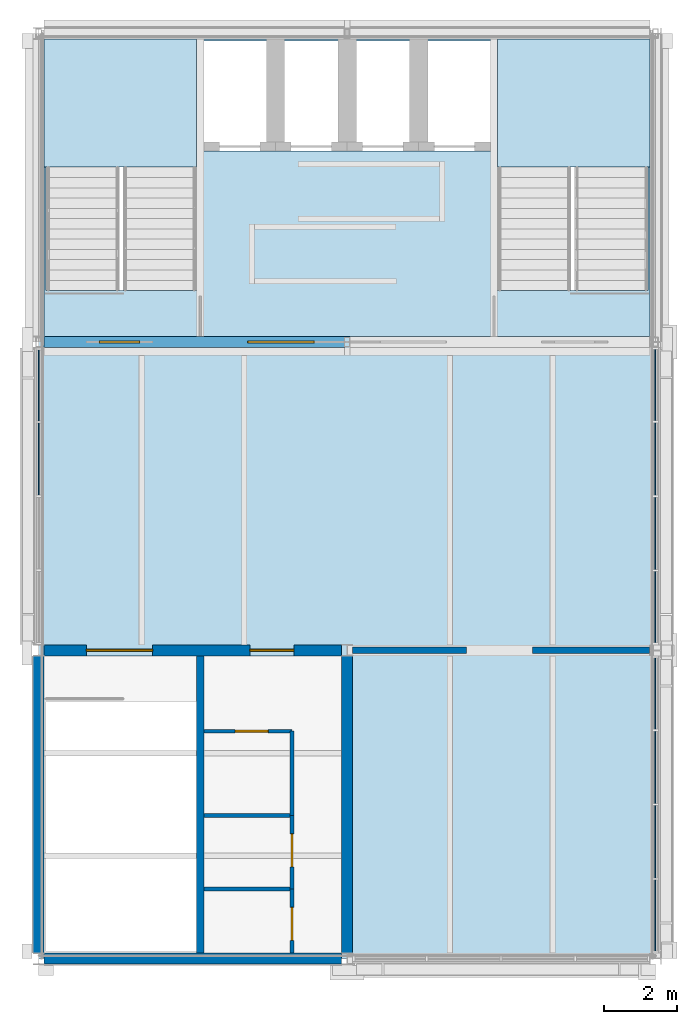
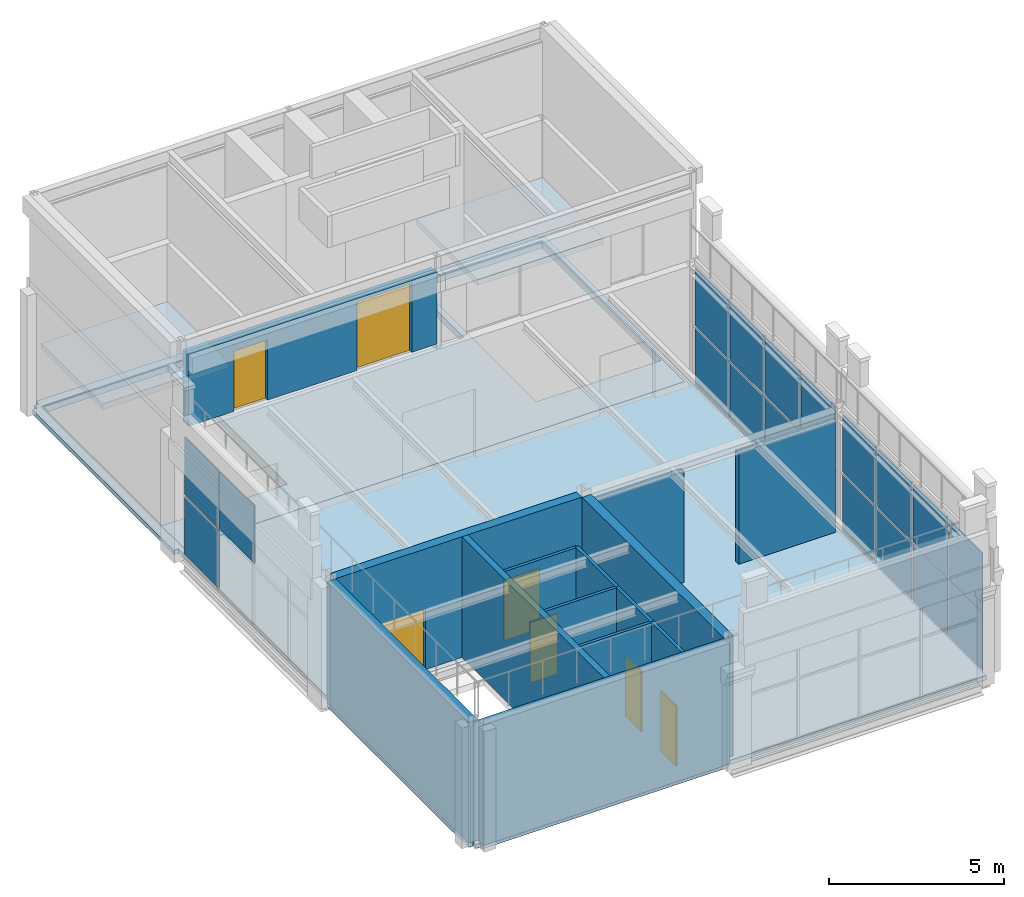
# One storey, part 3 of 7: 19 plates, 14 walls, 7 doors, 4 slabs, 7 openings, 5 elements without a shape of their own.
"""IFC4 building model written with IfcOpenShell, lengths in metres."""

from ifc_helpers import new_model, si_unit, direction, frame, frame_2d, origin, origin_2d, place, context, subcontext, project, spatial, polyline, rectangle, outline, extrude, material, layer, layer_set, type_object, element, fill, aggregate, save


model = new_model("IFC4")

# Units and contexts
model_context = context("Model", 3, precision=1e-05, world=origin(), true_north=direction((0.0, 1.0)))
body_context = subcontext(model_context, "Body", "Model", "MODEL_VIEW")
ifc_project = project(units=[si_unit("LENGTHUNIT", "METRE"), si_unit("AREAUNIT", "SQUARE_METRE"), si_unit("VOLUMEUNIT", "CUBIC_METRE"), si_unit("PLANEANGLEUNIT", "RADIAN"), si_unit("MASSUNIT", "GRAM", prefix="KILO")], contexts=[model_context])

# Site, building, storey
site_placement = place(None, origin())
site = spatial("IfcSite", under=ifc_project, at=site_placement, CompositionType="ELEMENT")
building_placement = place(site_placement, origin())
building = spatial("IfcBuilding", under=site, at=building_placement, Name="Galleria Vessillo Department Store", CompositionType="ELEMENT")
storey_placement = place(building_placement, frame((0.0, 0.0, 67.60009765625)))
storey = spatial("IfcBuildingStorey", under=building, at=storey_placement, Name="L15", CompositionType="ELEMENT", Elevation=67.60009765625)

# Slab
ifc_material_1 = material(Name="Concrete C32/40 composite on steel deck", Category="concrete")
ifc_layer_1 = layer(ifc_material_1, 0.14990234375)
ifc_layer_set_1 = layer_set([ifc_layer_1], Name="Concrete C32/40 composite on steel deck")
slab_type_1 = type_object("IfcSlabType", Name="Composite floor slab 150 mm", PredefinedType="FLOOR", material=ifc_layer_set_1)
slab_1_placement = place(storey_placement, frame((0.0, 0.0, -0.14990234375)))
element("IfcSlab", 1, at=slab_1_placement, inside=storey, type_object=slab_type_1, Name="S-SLAB-L15-FLOOR", PredefinedType="FLOOR", context=body_context, shape_type="SweptSolid", body=[
    extrude(outline(polyline([(100.650634765625, 46.039306640625), (100.800048828125, 46.039306640625), (100.800048828125, 54.7607421875), (100.650634765625, 54.7607421875), (100.650634765625, 62.83935546875), (100.800048828125, 62.83935546875), (100.800048828125, 63.0), (100.95068359375, 63.0), (100.95068359375, 63.1494140625), (117.439453125, 63.1494140625), (117.439453125, 63.0), (117.60009765625, 63.0), (117.60009765625, 37.800048828125), (109.04931640625, 37.800048828125), (109.04931640625, 37.699951171875), (100.95068359375, 37.699951171875), (100.95068359375, 37.800048828125), (100.800048828125, 37.800048828125), (100.800048828125, 37.960693359375), (100.650634765625, 37.960693359375), (100.650634765625, 46.039306640625)]), holes=[polyline([(109.050048828125, 37.949951171875), (109.050048828125, 46.050048828125), (100.949951171875, 46.050048828125), (100.949951171875, 37.949951171875), (109.050048828125, 37.949951171875)]), polyline([(117.4501953125, 54.75), (117.4501953125, 62.85009765625), (100.949951171875, 62.85009765625), (100.949951171875, 54.75), (117.4501953125, 54.75)])]), origin(), (0.0, 0.0, 1.0), 0.14990234375),
])

# Curtain wall, plates
ifc_material_2 = material(Name="Aluminium and glass curtain wall", Category="aluminium")
ifc_layer_2 = layer(ifc_material_2, 0.159912109375)
ifc_layer_set_2 = layer_set([ifc_layer_2], Name="Aluminium and glass curtain wall")
curtain_wall_type = type_object("IfcCurtainWallType", Name="Tower curtain wall CW4 2100 module", PredefinedType="NOTDEFINED", material=ifc_layer_set_2)
curtain_wall_1_placement = place(storey_placement, origin())
curtain_wall_1 = element("IfcCurtainWall", 2, at=curtain_wall_1_placement, inside=storey, type_object=curtain_wall_type, Name="Tower curtain wall CW4 2100 module TW-L15-01", PredefinedType="NOTDEFINED")
ifc_material_3 = material(Name="Glass laminated 44.2 low-e", Category="glass")
ifc_layer_3 = layer(ifc_material_3, 0.028076171875)
ifc_layer_set_3 = layer_set([ifc_layer_3], Name="Glass laminated 44.2 low-e")
plate_type_1 = type_object("IfcPlateType", Name="Laminated glass panel 28 mm", PredefinedType="CURTAIN_PANEL", material=ifc_layer_set_3)
plate_1_placement = place(storey_placement, frame((100.800048828125, 51.41015625, 2.1298828125), z_axis=(0.0, 0.0, 1.0), x_axis=(0.0, 1.0, 0.0)))
plate_1 = element("IfcPlate", 3, at=plate_1_placement, type_object=plate_type_1, Name="CW4 panel 3.2", PredefinedType="CURTAIN_PANEL", context=body_context, shape_type="SweptSolid", body=[
    extrude(rectangle(XDim=1.9599609375, YDim=0.028076171875, at=origin_2d()), origin(), (0.0, 0.0, 1.0), 2.010009765625),
])
plate_2_placement = place(storey_placement, frame((100.800048828125, 53.4150390625, 2.1298828125), z_axis=(0.0, 0.0, 1.0), x_axis=(0.0, 1.0, 0.0)))
plate_2 = element("IfcPlate", 4, at=plate_2_placement, type_object=plate_type_1, Name="CW4 panel 4.2", PredefinedType="CURTAIN_PANEL", context=body_context, shape_type="SweptSolid", body=[
    extrude(rectangle(XDim=1.93017578125, YDim=0.028076171875, at=origin_2d()), origin(), (0.0, 0.0, 1.0), 2.010009765625),
])

curtain_wall_2_placement = place(storey_placement, origin())
curtain_wall_2 = element("IfcCurtainWall", 5, at=curtain_wall_2_placement, inside=storey, type_object=curtain_wall_type, Name="Tower curtain wall CW4 2100 module TE-L15-01", PredefinedType="NOTDEFINED")
plate_3_placement = place(storey_placement, frame((117.60009765625, 38.9775390625, 2.1298828125), z_axis=(0.0, 0.0, 1.0), x_axis=(0.0, 1.0, 0.0)))
plate_3 = element("IfcPlate", 6, at=plate_3_placement, type_object=plate_type_1, Name="CW4 panel 1.2", PredefinedType="CURTAIN_PANEL", context=body_context, shape_type="SweptSolid", body=[
    extrude(rectangle(XDim=1.93505859375, YDim=0.028076171875, at=origin_2d()), origin(), (0.0, 0.0, 1.0), 2.010009765625),
])
plate_4_placement = place(storey_placement, frame((117.60009765625, 40.987548828125, 2.1298828125), z_axis=(0.0, 0.0, 1.0), x_axis=(0.0, 1.0, 0.0)))
plate_4 = element("IfcPlate", 7, at=plate_4_placement, type_object=plate_type_1, Name="CW4 panel 2.2", PredefinedType="CURTAIN_PANEL", context=body_context, shape_type="SweptSolid", body=[
    extrude(rectangle(XDim=1.965087890625, YDim=0.028076171875, at=origin_2d()), origin(), (0.0, 0.0, 1.0), 2.010009765625),
])
plate_5_placement = place(storey_placement, frame((117.60009765625, 43.012451171875, 2.1298828125), z_axis=(0.0, 0.0, 1.0), x_axis=(0.0, 1.0, 0.0)))
plate_5 = element("IfcPlate", 8, at=plate_5_placement, type_object=plate_type_1, Name="CW4 panel 3.2", PredefinedType="CURTAIN_PANEL", context=body_context, shape_type="SweptSolid", body=[
    extrude(rectangle(XDim=1.965087890625, YDim=0.028076171875, at=origin_2d()), origin(), (0.0, 0.0, 1.0), 2.010009765625),
])
plate_6_placement = place(storey_placement, frame((117.60009765625, 45.0224609375, 2.1298828125), z_axis=(0.0, 0.0, 1.0), x_axis=(0.0, 1.0, 0.0)))
plate_6 = element("IfcPlate", 9, at=plate_6_placement, type_object=plate_type_1, Name="CW4 panel 4.2", PredefinedType="CURTAIN_PANEL", context=body_context, shape_type="SweptSolid", body=[
    extrude(rectangle(XDim=1.93505859375, YDim=0.028076171875, at=origin_2d()), origin(), (0.0, 0.0, 1.0), 2.010009765625),
])

curtain_wall_3_placement = place(storey_placement, origin())
curtain_wall_3 = element("IfcCurtainWall", 10, at=curtain_wall_3_placement, inside=storey, type_object=curtain_wall_type, Name="Tower curtain wall CW4 2100 module TE-L15-02", PredefinedType="NOTDEFINED")
plate_7_placement = place(storey_placement, frame((117.60009765625, 47.37744140625, 2.1298828125), z_axis=(0.0, 0.0, 1.0), x_axis=(0.0, 1.0, 0.0)))
plate_7 = element("IfcPlate", 11, at=plate_7_placement, type_object=plate_type_1, Name="CW4 panel 1.2", PredefinedType="CURTAIN_PANEL", context=body_context, shape_type="SweptSolid", body=[
    extrude(rectangle(XDim=1.93505859375, YDim=0.028076171875, at=origin_2d()), origin(), (0.0, 0.0, 1.0), 2.010009765625),
])
plate_8_placement = place(storey_placement, frame((117.60009765625, 49.387451171875, 2.1298828125), z_axis=(0.0, 0.0, 1.0), x_axis=(0.0, 1.0, 0.0)))
plate_8 = element("IfcPlate", 12, at=plate_8_placement, type_object=plate_type_1, Name="CW4 panel 2.2", PredefinedType="CURTAIN_PANEL", context=body_context, shape_type="SweptSolid", body=[
    extrude(rectangle(XDim=1.965087890625, YDim=0.028076171875, at=origin_2d()), origin(), (0.0, 0.0, 1.0), 2.010009765625),
])
plate_9_placement = place(storey_placement, frame((117.60009765625, 51.41259765625, 2.1298828125), z_axis=(0.0, 0.0, 1.0), x_axis=(0.0, 1.0, 0.0)))
plate_9 = element("IfcPlate", 13, at=plate_9_placement, type_object=plate_type_1, Name="CW4 panel 3.2", PredefinedType="CURTAIN_PANEL", context=body_context, shape_type="SweptSolid", body=[
    extrude(rectangle(XDim=1.965087890625, YDim=0.028076171875, at=origin_2d()), origin(), (0.0, 0.0, 1.0), 2.010009765625),
])
plate_10_placement = place(storey_placement, frame((117.60009765625, 53.422607421875, 2.1298828125), z_axis=(0.0, 0.0, 1.0), x_axis=(0.0, 1.0, 0.0)))
plate_10 = element("IfcPlate", 14, at=plate_10_placement, type_object=plate_type_1, Name="CW4 panel 4.2", PredefinedType="CURTAIN_PANEL", context=body_context, shape_type="SweptSolid", body=[
    extrude(rectangle(XDim=1.93505859375, YDim=0.028076171875, at=origin_2d()), origin(), (0.0, 0.0, 1.0), 2.010009765625),
])

# Slab
ifc_material_4 = material(Name="Concrete C32/40 reinforced", Category="concrete")
ifc_layer_4 = layer(ifc_material_4, 0.219970703125)
ifc_layer_set_4 = layer_set([ifc_layer_4], Name="Concrete C32/40 reinforced")
slab_type_2 = type_object("IfcSlabType", Name="Reinforced concrete core floor slab 220 mm", PredefinedType="FLOOR", material=ifc_layer_set_4)
slab_2_placement = place(storey_placement, frame((0.0, 0.0, -0.219970703125)))
element("IfcSlab", 15, at=slab_2_placement, inside=storey, type_object=slab_type_2, Name="S-SLAB-L15-CORE-TC", PredefinedType="FLOOR", context=body_context, shape_type="SweptSolid", body=[
    extrude(outline(polyline([(100.949951171875, 54.75), (100.949951171875, 62.85009765625), (117.4501953125, 62.85009765625), (117.4501953125, 54.75), (100.949951171875, 54.75)]), holes=[polyline([(105.10009765625, 56.0), (105.10009765625, 62.800048828125), (101.0, 62.800048828125), (101.0, 56.0), (105.10009765625, 56.0)]), polyline([(113.300048828125, 56.0), (117.39990234375, 56.0), (117.39990234375, 62.800048828125), (113.300048828125, 62.800048828125), (113.300048828125, 56.0)]), polyline([(105.300048828125, 59.800048828125), (113.10009765625, 59.800048828125), (113.10009765625, 62.800048828125), (105.300048828125, 62.800048828125), (105.300048828125, 59.800048828125)])]), origin(), (0.0, 0.0, 1.0), 0.219970703125),
])

# Stair, slab
ifc_material_5 = material(Name="Concrete C32/40", Category="concrete")
stair_type = type_object("IfcStairType", Name="Half-turn escape stair 2000 mm, 26 risers of 169 mm", PredefinedType="HALF_TURN_STAIR", material=ifc_material_5)
stair_1_placement = place(storey_placement, origin())
stair_1 = element("IfcStair", 16, at=stair_1_placement, inside=storey, type_object=stair_type, Name="Stair ST8 L15", PredefinedType="HALF_TURN_STAIR")
ifc_material_6 = material(Name="Concrete C32/40", Category="concrete")
ifc_layer_5 = layer(ifc_material_6, 0.199951171875)
ifc_layer_set_5 = layer_set([ifc_layer_5], Name="Concrete C32/40")
slab_type_3 = type_object("IfcSlabType", Name="Stair half landing 4150 x 3490 mm", PredefinedType="LANDING", material=ifc_layer_set_5)
slab_3_placement = place(storey_placement, frame((0.0, 0.0, 2.0)))
slab_3 = element("IfcSlab", 17, at=slab_3_placement, type_object=slab_type_3, Name="ST8 landing 1", PredefinedType="LANDING", context=body_context, shape_type="SweptSolid", body=[
    extrude(outline(polyline([(100.949951171875, 59.360107421875), (100.949951171875, 62.85009765625), (105.10009765625, 62.85009765625), (105.10009765625, 59.360107421875), (100.949951171875, 59.360107421875)])), origin(), (0.0, 0.0, 1.0), 0.199951171875),
])
aggregate(stair_1, [slab_3])

stair_2_placement = place(storey_placement, origin())
stair_2 = element("IfcStair", 18, at=stair_2_placement, inside=storey, type_object=stair_type, Name="Stair ST9 L15", PredefinedType="HALF_TURN_STAIR")
slab_4_placement = place(storey_placement, frame((0.0, 0.0, 2.0)))
slab_4 = element("IfcSlab", 19, at=slab_4_placement, type_object=slab_type_3, Name="ST9 landing 1", PredefinedType="LANDING", context=body_context, shape_type="SweptSolid", body=[
    extrude(outline(polyline([(113.300048828125, 59.360107421875), (113.300048828125, 62.85009765625), (117.4501953125, 62.85009765625), (117.4501953125, 59.360107421875), (113.300048828125, 59.360107421875)])), origin(), (0.0, 0.0, 1.0), 0.199951171875),
])
aggregate(stair_2, [slab_4])

# Plate
ifc_material_7 = material(Name="Limestone spandrel on aluminium tray", Category="masonry")
ifc_layer_6 = layer(ifc_material_7, 0.028076171875)
ifc_layer_set_6 = layer_set([ifc_layer_6], Name="Limestone spandrel on aluminium tray")
plate_type_2 = type_object("IfcPlateType", Name="Stone spandrel panel 28 mm", PredefinedType="CURTAIN_PANEL", material=ifc_layer_set_6)
plate_11_placement = place(storey_placement, frame((100.800048828125, 53.4150390625, 0.06005859375), z_axis=(0.0, 0.0, 1.0), x_axis=(0.0, 1.0, 0.0)))
plate_11 = element("IfcPlate", 20, at=plate_11_placement, type_object=plate_type_2, Name="CW4 panel 4.1", PredefinedType="CURTAIN_PANEL", context=body_context, shape_type="SweptSolid", body=[
    extrude(rectangle(XDim=1.93017578125, YDim=0.028076171875, at=origin_2d()), origin(), (0.0, 0.0, 1.0), 2.010009765625),
])

aggregate(curtain_wall_1, [plate_1, plate_11, plate_2])

plate_12_placement = place(storey_placement, frame((117.60009765625, 38.9775390625, 0.06005859375), z_axis=(0.0, 0.0, 1.0), x_axis=(0.0, 1.0, 0.0)))
plate_12 = element("IfcPlate", 21, at=plate_12_placement, type_object=plate_type_2, Name="CW4 panel 1.1", PredefinedType="CURTAIN_PANEL", context=body_context, shape_type="SweptSolid", body=[
    extrude(rectangle(XDim=1.93505859375, YDim=0.028076171875, at=origin_2d()), origin(), (0.0, 0.0, 1.0), 2.010009765625),
])

plate_13_placement = place(storey_placement, frame((117.60009765625, 40.987548828125, 0.06005859375), z_axis=(0.0, 0.0, 1.0), x_axis=(0.0, 1.0, 0.0)))
plate_13 = element("IfcPlate", 22, at=plate_13_placement, type_object=plate_type_2, Name="CW4 panel 2.1", PredefinedType="CURTAIN_PANEL", context=body_context, shape_type="SweptSolid", body=[
    extrude(rectangle(XDim=1.965087890625, YDim=0.028076171875, at=origin_2d()), origin(), (0.0, 0.0, 1.0), 2.010009765625),
])

plate_14_placement = place(storey_placement, frame((117.60009765625, 43.012451171875, 0.06005859375), z_axis=(0.0, 0.0, 1.0), x_axis=(0.0, 1.0, 0.0)))
plate_14 = element("IfcPlate", 23, at=plate_14_placement, type_object=plate_type_2, Name="CW4 panel 3.1", PredefinedType="CURTAIN_PANEL", context=body_context, shape_type="SweptSolid", body=[
    extrude(rectangle(XDim=1.965087890625, YDim=0.028076171875, at=origin_2d()), origin(), (0.0, 0.0, 1.0), 2.010009765625),
])

plate_15_placement = place(storey_placement, frame((117.60009765625, 45.0224609375, 0.06005859375), z_axis=(0.0, 0.0, 1.0), x_axis=(0.0, 1.0, 0.0)))
plate_15 = element("IfcPlate", 24, at=plate_15_placement, type_object=plate_type_2, Name="CW4 panel 4.1", PredefinedType="CURTAIN_PANEL", context=body_context, shape_type="SweptSolid", body=[
    extrude(rectangle(XDim=1.93505859375, YDim=0.028076171875, at=origin_2d()), origin(), (0.0, 0.0, 1.0), 2.010009765625),
])

aggregate(curtain_wall_2, [plate_12, plate_3, plate_13, plate_4, plate_14, plate_5, plate_15, plate_6])

plate_16_placement = place(storey_placement, frame((117.60009765625, 47.37744140625, 0.06005859375), z_axis=(0.0, 0.0, 1.0), x_axis=(0.0, 1.0, 0.0)))
plate_16 = element("IfcPlate", 25, at=plate_16_placement, type_object=plate_type_2, Name="CW4 panel 1.1", PredefinedType="CURTAIN_PANEL", context=body_context, shape_type="SweptSolid", body=[
    extrude(rectangle(XDim=1.93505859375, YDim=0.028076171875, at=origin_2d()), origin(), (0.0, 0.0, 1.0), 2.010009765625),
])

plate_17_placement = place(storey_placement, frame((117.60009765625, 49.387451171875, 0.06005859375), z_axis=(0.0, 0.0, 1.0), x_axis=(0.0, 1.0, 0.0)))
plate_17 = element("IfcPlate", 26, at=plate_17_placement, type_object=plate_type_2, Name="CW4 panel 2.1", PredefinedType="CURTAIN_PANEL", context=body_context, shape_type="SweptSolid", body=[
    extrude(rectangle(XDim=1.965087890625, YDim=0.028076171875, at=origin_2d()), origin(), (0.0, 0.0, 1.0), 2.010009765625),
])

plate_18_placement = place(storey_placement, frame((117.60009765625, 51.41259765625, 0.06005859375), z_axis=(0.0, 0.0, 1.0), x_axis=(0.0, 1.0, 0.0)))
plate_18 = element("IfcPlate", 27, at=plate_18_placement, type_object=plate_type_2, Name="CW4 panel 3.1", PredefinedType="CURTAIN_PANEL", context=body_context, shape_type="SweptSolid", body=[
    extrude(rectangle(XDim=1.965087890625, YDim=0.028076171875, at=origin_2d()), origin(), (0.0, 0.0, 1.0), 2.010009765625),
])

plate_19_placement = place(storey_placement, frame((117.60009765625, 53.422607421875, 0.06005859375), z_axis=(0.0, 0.0, 1.0), x_axis=(0.0, 1.0, 0.0)))
plate_19 = element("IfcPlate", 28, at=plate_19_placement, type_object=plate_type_2, Name="CW4 panel 4.1", PredefinedType="CURTAIN_PANEL", context=body_context, shape_type="SweptSolid", body=[
    extrude(rectangle(XDim=1.93505859375, YDim=0.028076171875, at=origin_2d()), origin(), (0.0, 0.0, 1.0), 2.010009765625),
])

aggregate(curtain_wall_3, [plate_16, plate_7, plate_17, plate_8, plate_18, plate_9, plate_19, plate_10])

# Walls
ifc_material_8 = material(Name="Acoustic gypsum board partition")
ifc_layer_7 = layer(ifc_material_8, 0.175048828125)
ifc_layer_set_7 = layer_set([ifc_layer_7], Name="Acoustic gypsum board partition")
wall_type_1 = type_object("IfcWallType", Name="Acoustic conference partition 175 mm", PredefinedType="PARTITIONING", material=ifc_layer_set_7)
wall_1_placement = place(storey_placement, frame((109.349853515625, 46.199951171875, 0.0), z_axis=(0.0, 0.0, 1.0), x_axis=(1.0, 0.0, 0.0)))
element("IfcWall", 29, at=wall_1_placement, inside=storey, type_object=wall_type_1, Name="Partition wall PT6 on L15 no. 007", PredefinedType="PARTITIONING", context=body_context, shape_type="SweptSolid", body=[
    extrude(rectangle(XDim=3.10009765625, YDim=0.175048828125, at=frame_2d((1.550048828125, 0.0))), origin(), (0.0, 0.0, 1.0), 3.869873046875),
])
wall_2_placement = place(storey_placement, frame((114.25, 46.199951171875, 0.0), z_axis=(0.0, 0.0, 1.0), x_axis=(1.0, 0.0, 0.0)))
element("IfcWall", 30, at=wall_2_placement, inside=storey, type_object=wall_type_1, Name="Partition wall PT6 on L15 no. 008", PredefinedType="PARTITIONING", context=body_context, shape_type="SweptSolid", body=[
    extrude(rectangle(XDim=3.190185546875, YDim=0.175048828125, at=frame_2d((1.59521484375, 0.0))), origin(), (0.0, 0.0, 1.0), 3.869873046875),
])

# Wall, openings, doors
ifc_material_9 = material(Name="Reinforced masonry, limestone units 80 MPa", Category="masonry")
ifc_layer_8 = layer(ifc_material_9, 0.300048828125)
ifc_layer_set_8 = layer_set([ifc_layer_8], Name="Reinforced masonry, limestone units 80 MPa")
wall_type_2 = type_object("IfcWallType", Name="Load-bearing limestone pavilion wall 300 mm", PredefinedType="STANDARD", material=ifc_layer_set_8)
wall_3_placement = place(storey_placement, frame((100.949951171875, 54.60009765625, 4.39990234375), z_axis=(0.0, 0.0, 1.0), x_axis=(1.0, 0.0, 0.0)))
wall_3 = element("IfcWall", 31, at=wall_3_placement, inside=storey, type_object=wall_type_2, Name="Load-bearing limestone pavilion wall 300 mm E-HH south-1", PredefinedType="STANDARD", context=body_context, shape_type="SweptSolid", body=[
    extrude(rectangle(XDim=8.17529296875, YDim=0.300048828125, at=frame_2d((4.087646484375, 0.0))), origin(), (0.0, 0.0, 1.0), 2.5),
])
opening_1_placement = place(wall_3_placement, frame((1.5, 0.0, 0.0)))
opening_1 = element("IfcOpeningElement", 32, at=opening_1_placement, cuts=wall_3, Name="Opening HH-D1", PredefinedType="OPENING", context=body_context, shape_type="SweptSolid", body=[
    extrude(rectangle(XDim=1.10009765625, YDim=2.10009765625, at=frame_2d((0.550048828125, 1.050048828125))), frame((0.0, 0.16015625, 0.0), z_axis=(0.0, -1.0, 0.0), x_axis=(1.0, 0.0, 0.0)), (0.0, 0.0, 1.0), 0.320068359375),
])
opening_2_placement = place(wall_3_placement, frame((5.550048828125, 0.0, 0.0)))
opening_2 = element("IfcOpeningElement", 33, at=opening_2_placement, cuts=wall_3, Name="Opening DT15-S107", PredefinedType="OPENING", context=body_context, shape_type="SweptSolid", body=[
    extrude(rectangle(XDim=1.800048828125, YDim=2.39990234375, at=frame_2d((0.89990234375, 1.199951171875))), frame((0.0, 0.16015625, 0.0), z_axis=(0.0, -1.0, 0.0), x_axis=(1.0, 0.0, 0.0)), (0.0, 0.0, 1.0), 0.320068359375),
])
ifc_material_10 = material(Name="Aluminium frame with laminated glass 44.2", Category="aluminium")
door_type_1 = type_object("IfcDoorType", Name="Glazed double terrace door 1800 x 2400", OperationType="DOUBLE_DOOR_SINGLE_SWING", PredefinedType="DOOR", material=ifc_material_10)
door_1_placement = place(opening_2_placement, frame((1.800048828125, 0.0, 0.0), z_axis=(0.0, 0.0, 1.0), x_axis=(-1.0, 0.0, 0.0)))
door_1 = element("IfcDoor", 34, at=door_1_placement, inside=storey, type_object=door_type_1, Name="Glazed double terrace door 1800 x 2400 DT15-S107", OperationType="DOUBLE_DOOR_SINGLE_SWING", OverallHeight=2.39990234375, OverallWidth=1.800048828125, PredefinedType="DOOR", context=body_context, shape_type="SweptSolid", body=[
    extrude(rectangle(XDim=1.800048828125, YDim=2.39990234375, at=frame_2d((0.89990234375, 1.199951171875))), frame((0.0, 0.02490234375, 0.0), z_axis=(0.0, -1.0, 0.0), x_axis=(1.0, 0.0, 0.0)), (0.0, 0.0, 1.0), 0.050048828125),
])
fill(opening_2, door_1)
ifc_material_11 = material(Name="Galvanised steel sectional leaf", Category="steel")
door_type_2 = type_object("IfcDoorType", Name="Single leaf pavilion door 1100 x 2100", OperationType="SINGLE_SWING_LEFT", PredefinedType="DOOR", material=ifc_material_11)
door_2_placement = place(opening_1_placement, origin())
door_2 = element("IfcDoor", 35, at=door_2_placement, inside=storey, type_object=door_type_2, Name="Single leaf pavilion door 1100 x 2100 HH-D1", OperationType="SINGLE_SWING_LEFT", OverallHeight=2.10009765625, OverallWidth=1.10009765625, PredefinedType="DOOR", context=body_context, shape_type="SweptSolid", body=[
    extrude(rectangle(XDim=1.10009765625, YDim=2.10009765625, at=frame_2d((0.550048828125, 1.050048828125))), frame((0.0, 0.02490234375, 0.0), z_axis=(0.0, -1.0, 0.0), x_axis=(1.0, 0.0, 0.0)), (0.0, 0.0, 1.0), 0.050048828125),
])
fill(opening_1, door_2)

ifc_material_12 = material(Name="Concrete C32/40 reinforced", Category="concrete")
ifc_layer_9 = layer(ifc_material_12, 0.300048828125)
ifc_layer_set_9 = layer_set([ifc_layer_9], Name="Concrete C32/40 reinforced")
wall_type_3 = type_object("IfcWallType", Name="Reinforced concrete core wall 300 mm", PredefinedType="SHEAR", material=ifc_layer_set_9)
wall_4_placement = place(storey_placement, frame((100.949951171875, 46.199951171875, 0.0), z_axis=(0.0, 0.0, 1.0), x_axis=(1.0, 0.0, 0.0)))
wall_4 = element("IfcWall", 36, at=wall_4_placement, inside=storey, type_object=wall_type_3, Name="S-CW-TS-INTERIOR-L15", PredefinedType="SHEAR", context=body_context, shape_type="SweptSolid", body=[
    extrude(rectangle(XDim=8.10009765625, YDim=0.300048828125, at=frame_2d((4.050048828125, 0.0))), origin(), (0.0, 0.0, 1.0), 4.199951171875),
])
opening_3_placement = place(wall_4_placement, frame((1.14990234375, 0.0, 0.0)))
opening_3 = element("IfcOpeningElement", 37, at=opening_3_placement, cuts=wall_4, Name="Opening D5339", PredefinedType="OPENING", context=body_context, shape_type="SweptSolid", body=[
    extrude(rectangle(XDim=1.800048828125, YDim=2.10009765625, at=frame_2d((0.89990234375, 1.050048828125))), frame((0.0, 0.16015625, 0.0), z_axis=(0.0, -1.0, 0.0), x_axis=(1.0, 0.0, 0.0)), (0.0, 0.0, 1.0), 0.320068359375),
])
opening_4_placement = place(wall_4_placement, frame((5.599853515625, 0.0, 0.0)))
opening_4 = element("IfcOpeningElement", 38, at=opening_4_placement, cuts=wall_4, Name="Opening D5340", PredefinedType="OPENING", context=body_context, shape_type="SweptSolid", body=[
    extrude(rectangle(XDim=1.199951171875, YDim=2.10009765625, at=frame_2d((0.60009765625, 1.050048828125))), frame((0.0, 0.16015625, 0.0), z_axis=(0.0, -1.0, 0.0), x_axis=(1.0, 0.0, 0.0)), (0.0, 0.0, 1.0), 0.320068359375),
])
ifc_material_13 = material(Name="Fire-rated steel door leaf", Category="steel")
door_type_3 = type_object("IfcDoorType", Name="Door D120F fire door 1200 x 2100", OperationType="SINGLE_SWING_LEFT", PredefinedType="DOOR", material=ifc_material_13)
door_3_placement = place(opening_4_placement, frame((1.199951171875, 0.0, 0.0), z_axis=(0.0, 0.0, 1.0), x_axis=(-1.0, 0.0, 0.0)))
door_3 = element("IfcDoor", 39, at=door_3_placement, inside=storey, type_object=door_type_3, Name="Lobby door TS-WC-FLOOR L15", OperationType="SINGLE_SWING_LEFT", OverallHeight=2.10009765625, OverallWidth=1.199951171875, PredefinedType="DOOR", context=body_context, shape_type="SweptSolid", body=[
    extrude(rectangle(XDim=1.199951171875, YDim=2.10009765625, at=frame_2d((0.60009765625, 1.050048828125))), frame((0.0, 0.02490234375, 0.0), z_axis=(0.0, -1.0, 0.0), x_axis=(1.0, 0.0, 0.0)), (0.0, 0.0, 1.0), 0.050048828125),
])
fill(opening_4, door_3)
ifc_material_14 = material(Name="Fire-rated steel door leaf", Category="steel")
door_type_4 = type_object("IfcDoorType", Name="Door D180F double leaf 1800 x 2100", OperationType="DOUBLE_DOOR_SINGLE_SWING", PredefinedType="DOOR", material=ifc_material_14)
door_4_placement = place(opening_3_placement, frame((1.800048828125, 0.0, 0.0), z_axis=(0.0, 0.0, 1.0), x_axis=(-1.0, 0.0, 0.0)))
door_4 = element("IfcDoor", 40, at=door_4_placement, inside=storey, type_object=door_type_4, Name="Lobby door TS-ST12-FLOOR L15", OperationType="DOUBLE_DOOR_SINGLE_SWING", OverallHeight=2.10009765625, OverallWidth=1.800048828125, PredefinedType="DOOR", context=body_context, shape_type="SweptSolid", body=[
    extrude(rectangle(XDim=1.800048828125, YDim=2.10009765625, at=frame_2d((0.89990234375, 1.050048828125))), frame((0.0, 0.02490234375, 0.0), z_axis=(0.0, -1.0, 0.0), x_axis=(1.0, 0.0, 0.0)), (0.0, 0.0, 1.0), 0.050048828125),
])
fill(opening_3, door_4)

# Walls
wall_5_placement = place(storey_placement, frame((109.199951171875, 37.9599609375, 0.0), z_axis=(0.0, 0.0, 1.0), x_axis=(0.0, 1.0, 0.0)))
element("IfcWall", 41, at=wall_5_placement, inside=storey, type_object=wall_type_3, Name="S-CW-TS-EAST-L15", PredefinedType="SHEAR", context=body_context, shape_type="SweptSolid", body=[
    extrude(rectangle(XDim=8.080078125, YDim=0.300048828125, at=frame_2d((4.0400390625, 0.0))), origin(), (0.0, 0.0, 1.0), 4.199951171875),
])
ifc_material_15 = material(Name="Concrete C32/40 reinforced", Category="concrete")
ifc_layer_10 = layer(ifc_material_15, 0.300048828125)
ifc_layer_set_10 = layer_set([ifc_layer_10], Name="Concrete C32/40 reinforced")
wall_type_4 = type_object("IfcWallType", Name="Reinforced concrete core wall 300 mm, external", PredefinedType="SHEAR", material=ifc_layer_set_10)
wall_6_placement = place(storey_placement, frame((100.949951171875, 37.800048828125, 0.0), z_axis=(0.0, 0.0, 1.0), x_axis=(1.0, 0.0, 0.0)))
element("IfcWall", 42, at=wall_6_placement, inside=storey, type_object=wall_type_4, Name="S-CW-TS-PARTY-L15", PredefinedType="SHEAR", context=body_context, shape_type="SweptSolid", body=[
    extrude(rectangle(XDim=8.10009765625, YDim=0.300048828125, at=frame_2d((4.050048828125, 0.0))), origin(), (0.0, 0.0, 1.0), 4.199951171875),
])
wall_7_placement = place(storey_placement, frame((100.800048828125, 37.9599609375, 0.0), z_axis=(0.0, 0.0, 1.0), x_axis=(0.0, 1.0, 0.0)))
element("IfcWall", 43, at=wall_7_placement, inside=storey, type_object=wall_type_4, Name="S-CW-TS-WEST-L15", PredefinedType="SHEAR", context=body_context, shape_type="SweptSolid", body=[
    extrude(rectangle(XDim=8.080078125, YDim=0.300048828125, at=frame_2d((4.0400390625, 0.0))), origin(), (0.0, 0.0, 1.0), 4.199951171875),
])
ifc_material_16 = material(Name="Concrete C32/40 reinforced", Category="concrete")
ifc_layer_11 = layer(ifc_material_16, 0.199951171875)
ifc_layer_set_11 = layer_set([ifc_layer_11], Name="Concrete C32/40 reinforced")
wall_type_5 = type_object("IfcWallType", Name="Reinforced concrete stair enclosure wall 200 mm", PredefinedType="SHEAR", material=ifc_layer_set_11)
wall_8_placement = place(storey_placement, frame((105.199951171875, 37.949951171875, 0.0), z_axis=(0.0, 0.0, 1.0), x_axis=(0.0, 1.0, 0.0)))
element("IfcWall", 44, at=wall_8_placement, inside=storey, type_object=wall_type_5, Name="Stair enclosure wall TS L15", PredefinedType="SHEAR", context=body_context, shape_type="SweptSolid", body=[
    extrude(rectangle(XDim=8.10009765625, YDim=0.199951171875, at=frame_2d((4.050048828125, 0.0))), origin(), (0.0, 0.0, 1.0), 4.199951171875),
])

# Wall, opening, door
ifc_material_17 = material(Name="Moisture-resistant board partition")
ifc_layer_12 = layer(ifc_material_17, 0.10009765625)
ifc_layer_set_12 = layer_set([ifc_layer_12], Name="Moisture-resistant board partition")
wall_type_6 = type_object("IfcWallType", Name="WC and cubicle partition 100 mm", PredefinedType="PARTITIONING", material=ifc_layer_set_12)
wall_9_placement = place(storey_placement, frame((105.300048828125, 44.0, 0.0), z_axis=(0.0, 0.0, 1.0), x_axis=(1.0, 0.0, 0.0)))
wall_9 = element("IfcWall", 45, at=wall_9_placement, inside=storey, type_object=wall_type_6, Name="Partition wall PT1 on L15 no. 001", PredefinedType="PARTITIONING", context=body_context, shape_type="SweptSolid", body=[
    extrude(rectangle(XDim=2.39990234375, YDim=0.10009765625, at=frame_2d((1.199951171875, 0.0))), origin(), (0.0, 0.0, 1.0), 4.199951171875),
])
opening_5_placement = place(wall_9_placement, frame((0.85009765625, 0.0, 0.0)))
opening_5 = element("IfcOpeningElement", 46, at=opening_5_placement, cuts=wall_9, Name="Opening D3701", PredefinedType="OPENING", context=body_context, shape_type="SweptSolid", body=[
    extrude(rectangle(XDim=0.89990234375, YDim=2.10009765625, at=frame_2d((0.449951171875, 1.050048828125))), frame((0.0, 0.06005859375, 0.0), z_axis=(0.0, -1.0, 0.0), x_axis=(1.0, 0.0, 0.0)), (0.0, 0.0, 1.0), 0.1201171875),
])
ifc_material_18 = material(Name="Timber and glass door leaf", Category="wood")
door_type_5 = type_object("IfcDoorType", Name="Floor door 900 single leaf", OperationType="SINGLE_SWING_LEFT", PredefinedType="DOOR", material=ifc_material_18)
door_5_placement = place(opening_5_placement, origin())
door_5 = element("IfcDoor", 47, at=door_5_placement, inside=storey, type_object=door_type_5, Name="Door D3701", OperationType="SINGLE_SWING_LEFT", OverallHeight=2.10009765625, OverallWidth=0.89990234375, PredefinedType="DOOR", context=body_context, shape_type="SweptSolid", body=[
    extrude(rectangle(XDim=0.89990234375, YDim=2.10009765625, at=frame_2d((0.449951171875, 1.050048828125))), frame((0.0, 0.02490234375, 0.0), z_axis=(0.0, -1.0, 0.0), x_axis=(1.0, 0.0, 0.0)), (0.0, 0.0, 1.0), 0.050048828125),
])
fill(opening_5, door_5)

# Wall
wall_10_placement = place(storey_placement, frame((107.699951171875, 41.699951171875, 0.0), z_axis=(0.0, 0.0, 1.0), x_axis=(0.0, 1.0, 0.0)))
element("IfcWall", 48, at=wall_10_placement, inside=storey, type_object=wall_type_6, Name="Partition wall PT1 on L15 no. 002", PredefinedType="PARTITIONING", context=body_context, shape_type="SweptSolid", body=[
    extrude(rectangle(XDim=2.300048828125, YDim=0.10009765625, at=frame_2d((1.14990234375, 0.0))), origin(), (0.0, 0.0, 1.0), 4.199951171875),
])

# Wall, opening, door
wall_11_placement = place(storey_placement, frame((107.699951171875, 39.699951171875, 0.0), z_axis=(0.0, 0.0, 1.0), x_axis=(0.0, 1.0, 0.0)))
wall_11 = element("IfcWall", 49, at=wall_11_placement, inside=storey, type_object=wall_type_6, Name="Partition wall PT1 on L15 no. 003", PredefinedType="PARTITIONING", context=body_context, shape_type="SweptSolid", body=[
    extrude(rectangle(XDim=2.0, YDim=0.10009765625, at=frame_2d((1.0, 0.0))), origin(), (0.0, 0.0, 1.0), 4.199951171875),
])
opening_6_placement = place(wall_11_placement, frame((0.60009765625, 0.0, 0.0)))
opening_6 = element("IfcOpeningElement", 50, at=opening_6_placement, cuts=wall_11, Name="Opening D3702", PredefinedType="OPENING", context=body_context, shape_type="SweptSolid", body=[
    extrude(rectangle(XDim=0.89990234375, YDim=2.10009765625, at=frame_2d((0.449951171875, 1.050048828125))), frame((0.0, 0.06005859375, 0.0), z_axis=(0.0, -1.0, 0.0), x_axis=(1.0, 0.0, 0.0)), (0.0, 0.0, 1.0), 0.1201171875),
])
door_6_placement = place(opening_6_placement, frame((0.89990234375, 0.0, 0.0), z_axis=(0.0, 0.0, 1.0), x_axis=(-1.0, 0.0, 0.0)))
door_6 = element("IfcDoor", 51, at=door_6_placement, inside=storey, type_object=door_type_5, Name="Door D3702", OperationType="SINGLE_SWING_RIGHT", OverallHeight=2.10009765625, OverallWidth=0.89990234375, PredefinedType="DOOR", context=body_context, shape_type="SweptSolid", body=[
    extrude(rectangle(XDim=0.89990234375, YDim=2.10009765625, at=frame_2d((0.449951171875, 1.050048828125))), frame((0.0, 0.02490234375, 0.0), z_axis=(0.0, -1.0, 0.0), x_axis=(1.0, 0.0, 0.0)), (0.0, 0.0, 1.0), 0.050048828125),
])
fill(opening_6, door_6)

wall_12_placement = place(storey_placement, frame((107.699951171875, 37.949951171875, 0.0), z_axis=(0.0, 0.0, 1.0), x_axis=(0.0, 1.0, 0.0)))
wall_12 = element("IfcWall", 52, at=wall_12_placement, inside=storey, type_object=wall_type_6, Name="Partition wall PT1 on L15 no. 004", PredefinedType="PARTITIONING", context=body_context, shape_type="SweptSolid", body=[
    extrude(rectangle(XDim=1.75, YDim=0.10009765625, at=frame_2d((0.875, 0.0))), origin(), (0.0, 0.0, 1.0), 4.199951171875),
])
opening_7_placement = place(wall_12_placement, frame((0.35009765625, 0.0, 0.0)))
opening_7 = element("IfcOpeningElement", 53, at=opening_7_placement, cuts=wall_12, Name="Opening D3703", PredefinedType="OPENING", context=body_context, shape_type="SweptSolid", body=[
    extrude(rectangle(XDim=0.89990234375, YDim=2.10009765625, at=frame_2d((0.449951171875, 1.050048828125))), frame((0.0, 0.06005859375, 0.0), z_axis=(0.0, -1.0, 0.0), x_axis=(1.0, 0.0, 0.0)), (0.0, 0.0, 1.0), 0.1201171875),
])
ifc_material_19 = material(Name="Timber and glass door leaf", Category="wood")
door_type_6 = type_object("IfcDoorType", Name="Accessible WC door 900 sliding", OperationType="SLIDING_TO_LEFT", PredefinedType="DOOR", material=ifc_material_19)
door_7_placement = place(opening_7_placement, origin())
door_7 = element("IfcDoor", 54, at=door_7_placement, inside=storey, type_object=door_type_6, Name="Door D3703", OperationType="SLIDING_TO_RIGHT", OverallHeight=2.10009765625, OverallWidth=0.89990234375, PredefinedType="DOOR", context=body_context, shape_type="SweptSolid", body=[
    extrude(rectangle(XDim=0.89990234375, YDim=2.10009765625, at=frame_2d((0.449951171875, 1.050048828125))), frame((0.0, 0.02490234375, 0.0), z_axis=(0.0, -1.0, 0.0), x_axis=(1.0, 0.0, 0.0)), (0.0, 0.0, 1.0), 0.050048828125),
])
fill(opening_7, door_7)

# Walls
for number, where, z_axis, x_axis, name in (
    (55, (105.300048828125, 41.699951171875, 0.0), (0.0, 0.0, 1.0), (1.0, 0.0, 0.0), "Partition wall PT1 on L15 no. 005"),
    (56, (105.300048828125, 39.699951171875, 0.0), (0.0, 0.0, 1.0), (1.0, 0.0, 0.0), "Partition wall PT1 on L15 no. 006"),
):
    element("IfcWall", number, at=place(storey_placement, frame(where, z_axis=z_axis, x_axis=x_axis)), inside=storey, type_object=wall_type_6, Name=name, PredefinedType="PARTITIONING", context=body_context, shape_type="SweptSolid", body=[
        extrude(rectangle(XDim=2.39990234375, YDim=0.10009765625, at=frame_2d((1.199951171875, 0.0))), origin(), (0.0, 0.0, 1.0), 4.199951171875),
    ])

save(model, "model.ifc")
